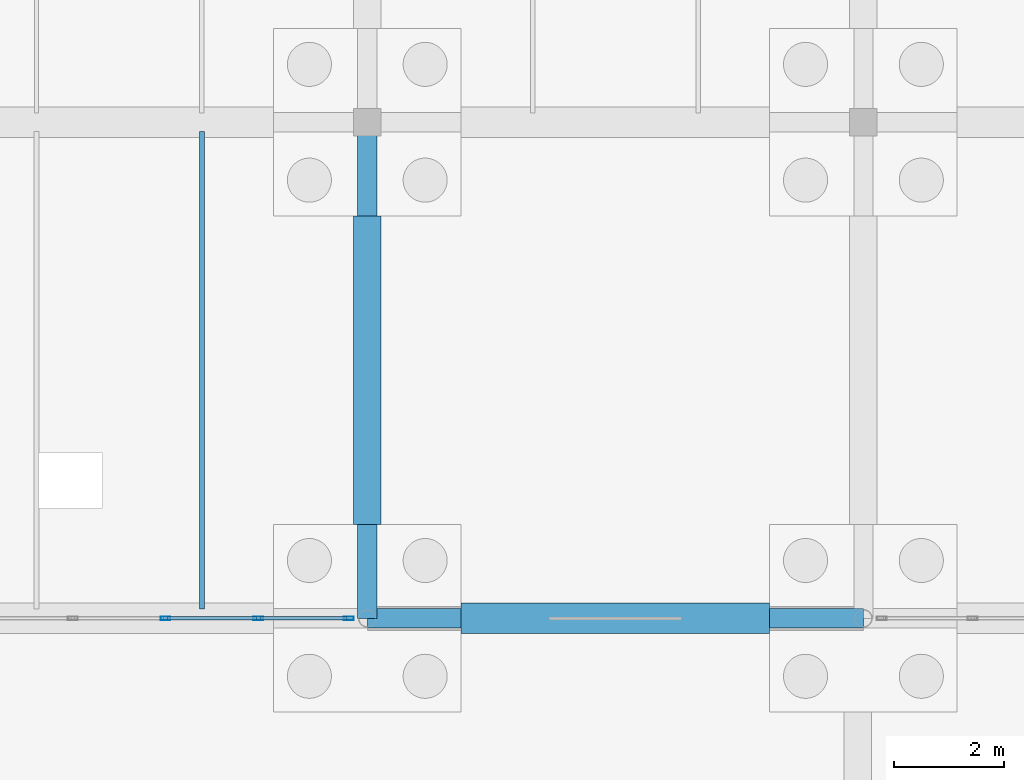
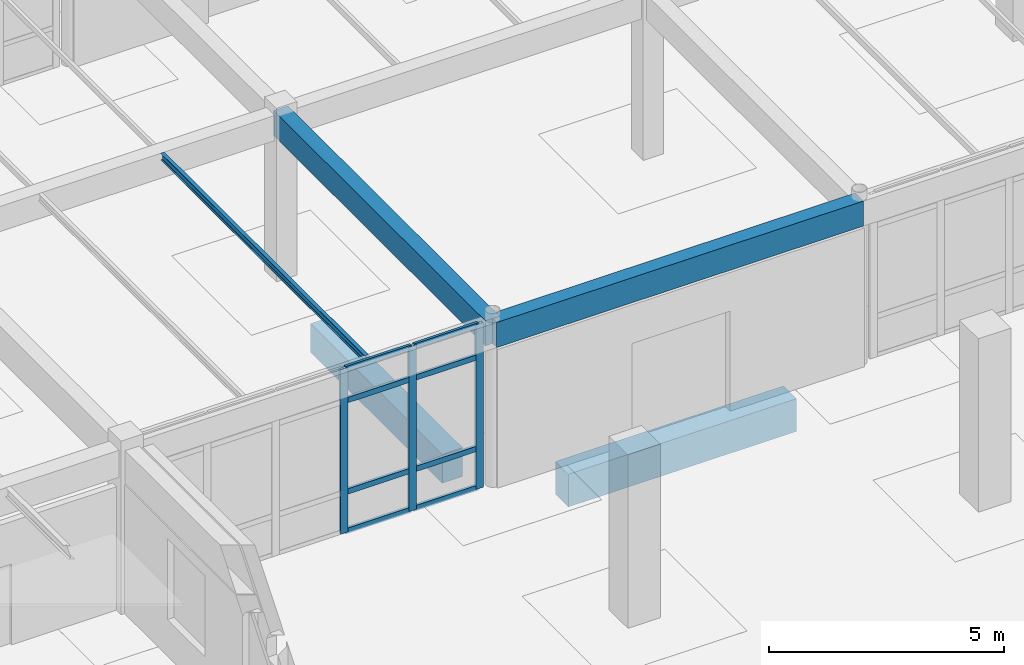
# One storey, part 60 of 186: 11 members, 5 beams, 1 element without a shape of its own.
"""IFC4 building model written with IfcOpenShell, lengths in metres."""

from ifc_helpers import new_model, si_unit, direction, frame, origin, origin_2d, place, context, subcontext, project, spatial, rectangle, hollow_rectangle, i_section, extrude, material, layer, layer_set, material_profile, profile_set, type_object, element, aggregate, save


model = new_model("IFC4")

# Units and contexts
model_context = context("Model", 3, precision=1e-05, world=origin(), true_north=direction((0.0, 1.0)))
body_context = subcontext(model_context, "Body", "Model", "MODEL_VIEW")
ifc_project = project(units=[si_unit("LENGTHUNIT", "METRE"), si_unit("AREAUNIT", "SQUARE_METRE"), si_unit("VOLUMEUNIT", "CUBIC_METRE"), si_unit("PLANEANGLEUNIT", "RADIAN"), si_unit("MASSUNIT", "GRAM", prefix="KILO")], contexts=[model_context])

# Site, building, storey
site_placement = place(None, origin())
site = spatial("IfcSite", under=ifc_project, at=site_placement, CompositionType="ELEMENT")
building_placement = place(site_placement, origin())
building = spatial("IfcBuilding", under=site, at=building_placement, Name="Ornek Quay Market", CompositionType="ELEMENT")
storey_placement = place(building_placement, origin())
storey = spatial("IfcBuildingStorey", under=building, at=storey_placement, Name="L00", CompositionType="ELEMENT", Elevation=0.0)

# Beams
ifc_material_1 = material(Name="Concrete C35/45", Category="concrete")
ifc_material_profile_1 = material_profile(ifc_material_1, rectangle(XDim=0.35009765625, YDim=0.64990234375, at=origin_2d()), Name="RC 350x650", Category="concrete")
ifc_profile_set_1 = profile_set([ifc_material_profile_1], Name="Concrete C35/45")
beam_type_1 = type_object("IfcBeamType", Name="BM-CONC-350x650", PredefinedType="BEAM", material=ifc_profile_set_1)
for number, where, z_axis, x_axis, name in (
    (1, (36.0, 92.0, 3.945068359375), (1.0, 0.0, 0.0), (0.0, 1.0, 0.0), "Primary beam B-CN1-053"),
    (2, (36.0, 92.0, 3.945068359375), (0.0, 1.0, 0.0), (-1.0, 0.0, 0.0), "Primary beam B-CN1-058"),
):
    element("IfcBeam", number, at=place(storey_placement, frame(where, z_axis=z_axis, x_axis=x_axis)), inside=storey, type_object=beam_type_1, Name=name, PredefinedType="BEAM", context=body_context, shape_type="SweptSolid", body=[
        extrude(rectangle(XDim=0.35009765625, YDim=0.64990234375, at=origin_2d()), origin(), (0.0, 0.0, 1.0), 9.0),
    ])
ifc_material_profile_2 = material_profile(ifc_material_1, rectangle(XDim=0.5, YDim=0.75, at=origin_2d()), Name="RC 500x750", Category="concrete")
ifc_profile_set_2 = profile_set([ifc_material_profile_2], Name="Concrete C35/45")
beam_type_2 = type_object("IfcBeamType", Name="BM-GB-500x750", PredefinedType="BEAM", material=ifc_profile_set_2)
beam_1_placement = place(storey_placement, frame((36.0, 93.699951171875, -0.574951171875), z_axis=(0.0, 1.0, 0.0), x_axis=(-1.0, 0.0, 0.0)))
element("IfcBeam", 3, at=beam_1_placement, inside=storey, type_object=beam_type_2, Name="Ground tie beam GB-090", PredefinedType="BEAM", context=body_context, shape_type="SweptSolid", body=[
    extrude(rectangle(XDim=0.5, YDim=0.75, at=origin_2d()), origin(), (0.0, 0.0, 1.0), 5.60009765625),
])
ifc_material_profile_3 = material_profile(ifc_material_1, rectangle(XDim=0.550048828125, YDim=0.85009765625, at=origin_2d()), Name="RC 550x850", Category="concrete")
ifc_profile_set_3 = profile_set([ifc_material_profile_3], Name="Concrete C35/45")
beam_type_3 = type_object("IfcBeamType", Name="BM-GB-550x850", PredefinedType="BEAM", material=ifc_profile_set_3)
beam_2_placement = place(storey_placement, frame((37.699951171875, 92.0, -0.625), z_axis=(1.0, 0.0, 0.0), x_axis=(0.0, 1.0, 0.0)))
element("IfcBeam", 4, at=beam_2_placement, inside=storey, type_object=beam_type_3, Name="Ground tie beam GB-036", PredefinedType="BEAM", context=body_context, shape_type="SweptSolid", body=[
    extrude(rectangle(XDim=0.550048828125, YDim=0.85009765625, at=origin_2d()), origin(), (0.0, 0.0, 1.0), 5.60009765625),
])
ifc_material_2 = material(Name="Steel S355", Category="steel")
ifc_material_profile_4 = material_profile(ifc_material_2, i_section(OverallWidth=0.091064453125, OverallDepth=0.179931640625, WebThickness=0.00537109375, FlangeThickness=0.008056640625, FilletRadius=0.009033203125, at=origin_2d()), Name="IPE 180", Category="steel")
ifc_profile_set_4 = profile_set([ifc_material_profile_4], Name="Steel S355")
beam_type_4 = type_object("IfcBeamType", Name="BM-STL-IPE180", PredefinedType="JOIST", material=ifc_profile_set_4)
beam_3_placement = place(storey_placement, frame((33.0, 92.1669921875, 4.179931640625), z_axis=(0.0, 1.0, 0.0), x_axis=(-1.0, 0.0, 0.0)))
element("IfcBeam", 5, at=beam_3_placement, inside=storey, type_object=beam_type_4, Name="Secondary joist SB-01-002", PredefinedType="JOIST", context=body_context, shape_type="SweptSolid", body=[
    extrude(i_section(OverallWidth=0.091064453125, OverallDepth=0.179931640625, WebThickness=0.00537109375, FlangeThickness=0.008056640625, FilletRadius=0.009033203125, at=origin_2d()), origin(), (0.0, 0.0, 1.0), 8.666015625),
])

# Curtain wall, members
ifc_material_3 = material(Name="Anodised bronze aluminium and triple low-e glass", Category="aluminium")
ifc_layer = layer(ifc_material_3, 0.199951171875, Name="Anodised bronze aluminium and triple low-e glass", Category="aluminium")
ifc_layer_set = layer_set([ifc_layer], Name="Anodised bronze aluminium and triple low-e glass")
curtain_wall_type = type_object("IfcCurtainWallType", Name="CW-CONC-MOD1800", PredefinedType="USERDEFINED", material=ifc_layer_set)
curtain_wall_placement = place(storey_placement, origin())
curtain_wall = element("IfcCurtainWall", 6, at=curtain_wall_placement, inside=storey, type_object=curtain_wall_type, Name="Curtain wall CW-006", ObjectType="CURTAIN WALL", PredefinedType="USERDEFINED")
ifc_material_4 = material(Name="Anodised aluminium 6063-T6", Category="aluminium")
ifc_material_profile_5 = material_profile(ifc_material_4, hollow_rectangle(XDim=0.06494140625, YDim=0.179931640625, WallThickness=0.00439453125, at=origin_2d()), Name="CW-MUL-65x180", Category="aluminium")
ifc_profile_set_5 = profile_set([ifc_material_profile_5], Name="Anodised aluminium 6063-T6")
member_type_1 = type_object("IfcMemberType", Name="CW-MUL-65x180", PredefinedType="MULLION", material=ifc_profile_set_5)
member_1_placement = place(storey_placement, frame((32.340087890625, 92.0, 0.0), z_axis=(0.0, 0.0, 1.0), x_axis=(0.0, 1.0, 0.0)))
member_1 = element("IfcMember", 7, at=member_1_placement, type_object=member_type_1, Name="CW-006 mullion 4", PredefinedType="MULLION", context=body_context, shape_type="SweptSolid", body=[
    extrude(hollow_rectangle(XDim=0.06494140625, YDim=0.179931640625, WallThickness=0.00439453125, at=origin_2d()), origin(), (0.0, 0.0, 1.0), 4.27001953125),
])
member_2_placement = place(storey_placement, frame((34.02001953125, 92.0, 0.0), z_axis=(0.0, 0.0, 1.0), x_axis=(0.0, 1.0, 0.0)))
member_2 = element("IfcMember", 8, at=member_2_placement, type_object=member_type_1, Name="CW-006 mullion 5", PredefinedType="MULLION", context=body_context, shape_type="SweptSolid", body=[
    extrude(hollow_rectangle(XDim=0.06494140625, YDim=0.179931640625, WallThickness=0.00439453125, at=origin_2d()), origin(), (0.0, 0.0, 1.0), 4.27001953125),
])
member_3_placement = place(storey_placement, frame((35.66748046875, 92.0, 0.0), z_axis=(0.0, 0.0, 1.0), x_axis=(0.0, 1.0, 0.0)))
member_3 = element("IfcMember", 9, at=member_3_placement, type_object=member_type_1, Name="CW-006 mullion 6", PredefinedType="MULLION", context=body_context, shape_type="SweptSolid", body=[
    extrude(hollow_rectangle(XDim=0.06494140625, YDim=0.179931640625, WallThickness=0.00439453125, at=origin_2d()), origin(), (0.0, 0.0, 1.0), 4.27001953125),
])
ifc_material_profile_6 = material_profile(ifc_material_4, hollow_rectangle(XDim=0.06494140625, YDim=0.139892578125, WallThickness=0.00439453125, at=origin_2d()), Name="CW-TRN-65x140", Category="aluminium")
ifc_profile_set_6 = profile_set([ifc_material_profile_6], Name="Anodised aluminium 6063-T6")
member_type_2 = type_object("IfcMemberType", Name="CW-TRN-65x140", PredefinedType="USERDEFINED", material=ifc_profile_set_6)
member_4_placement = place(storey_placement, frame((32.37255859375, 92.0, 0.032470703125), z_axis=(1.0, 0.0, 0.0), x_axis=(0.0, 1.0, 0.0)))
member_4 = element("IfcMember", 10, at=member_4_placement, type_object=member_type_2, Name="CW-006 transom 4.1", ObjectType="TRANSOM", PredefinedType="USERDEFINED", context=body_context, shape_type="SweptSolid", body=[
    extrude(hollow_rectangle(XDim=0.06494140625, YDim=0.139892578125, WallThickness=0.00439453125, at=origin_2d()), origin(), (0.0, 0.0, 1.0), 1.614990234375),
])
member_5_placement = place(storey_placement, frame((32.37255859375, 92.0, 1.050048828125), z_axis=(1.0, 0.0, 0.0), x_axis=(0.0, 1.0, 0.0)))
member_5 = element("IfcMember", 11, at=member_5_placement, type_object=member_type_2, Name="CW-006 transom 4.2", ObjectType="TRANSOM", PredefinedType="USERDEFINED", context=body_context, shape_type="SweptSolid", body=[
    extrude(hollow_rectangle(XDim=0.06494140625, YDim=0.139892578125, WallThickness=0.00439453125, at=origin_2d()), origin(), (0.0, 0.0, 1.0), 1.614990234375),
])
member_6_placement = place(storey_placement, frame((32.37255859375, 92.0, 3.419921875), z_axis=(1.0, 0.0, 0.0), x_axis=(0.0, 1.0, 0.0)))
member_6 = element("IfcMember", 12, at=member_6_placement, type_object=member_type_2, Name="CW-006 transom 4.3", ObjectType="TRANSOM", PredefinedType="USERDEFINED", context=body_context, shape_type="SweptSolid", body=[
    extrude(hollow_rectangle(XDim=0.06494140625, YDim=0.139892578125, WallThickness=0.00439453125, at=origin_2d()), origin(), (0.0, 0.0, 1.0), 1.614990234375),
])
member_7_placement = place(storey_placement, frame((32.37255859375, 92.0, 4.237548828125), z_axis=(1.0, 0.0, 0.0), x_axis=(0.0, 1.0, 0.0)))
member_7 = element("IfcMember", 13, at=member_7_placement, type_object=member_type_2, Name="CW-006 transom 4.4", ObjectType="TRANSOM", PredefinedType="USERDEFINED", context=body_context, shape_type="SweptSolid", body=[
    extrude(hollow_rectangle(XDim=0.06494140625, YDim=0.139892578125, WallThickness=0.00439453125, at=origin_2d()), origin(), (0.0, 0.0, 1.0), 1.614990234375),
])
member_8_placement = place(storey_placement, frame((34.052490234375, 92.0, 0.032470703125), z_axis=(1.0, 0.0, 0.0), x_axis=(0.0, 1.0, 0.0)))
member_8 = element("IfcMember", 14, at=member_8_placement, type_object=member_type_2, Name="CW-006 transom 5.1", ObjectType="TRANSOM", PredefinedType="USERDEFINED", context=body_context, shape_type="SweptSolid", body=[
    extrude(hollow_rectangle(XDim=0.06494140625, YDim=0.139892578125, WallThickness=0.00439453125, at=origin_2d()), origin(), (0.0, 0.0, 1.0), 1.58251953125),
])
member_9_placement = place(storey_placement, frame((34.052490234375, 92.0, 1.050048828125), z_axis=(1.0, 0.0, 0.0), x_axis=(0.0, 1.0, 0.0)))
member_9 = element("IfcMember", 15, at=member_9_placement, type_object=member_type_2, Name="CW-006 transom 5.2", ObjectType="TRANSOM", PredefinedType="USERDEFINED", context=body_context, shape_type="SweptSolid", body=[
    extrude(hollow_rectangle(XDim=0.06494140625, YDim=0.139892578125, WallThickness=0.00439453125, at=origin_2d()), origin(), (0.0, 0.0, 1.0), 1.58251953125),
])
member_10_placement = place(storey_placement, frame((34.052490234375, 92.0, 3.419921875), z_axis=(1.0, 0.0, 0.0), x_axis=(0.0, 1.0, 0.0)))
member_10 = element("IfcMember", 16, at=member_10_placement, type_object=member_type_2, Name="CW-006 transom 5.3", ObjectType="TRANSOM", PredefinedType="USERDEFINED", context=body_context, shape_type="SweptSolid", body=[
    extrude(hollow_rectangle(XDim=0.06494140625, YDim=0.139892578125, WallThickness=0.00439453125, at=origin_2d()), origin(), (0.0, 0.0, 1.0), 1.58251953125),
])
member_11_placement = place(storey_placement, frame((34.052490234375, 92.0, 4.237548828125), z_axis=(1.0, 0.0, 0.0), x_axis=(0.0, 1.0, 0.0)))
member_11 = element("IfcMember", 17, at=member_11_placement, type_object=member_type_2, Name="CW-006 transom 5.4", ObjectType="TRANSOM", PredefinedType="USERDEFINED", context=body_context, shape_type="SweptSolid", body=[
    extrude(hollow_rectangle(XDim=0.06494140625, YDim=0.139892578125, WallThickness=0.00439453125, at=origin_2d()), origin(), (0.0, 0.0, 1.0), 1.58251953125),
])
aggregate(curtain_wall, [member_1, member_2, member_3, member_4, member_5, member_6, member_7, member_8, member_9, member_10, member_11])

save(model, "model.ifc")
